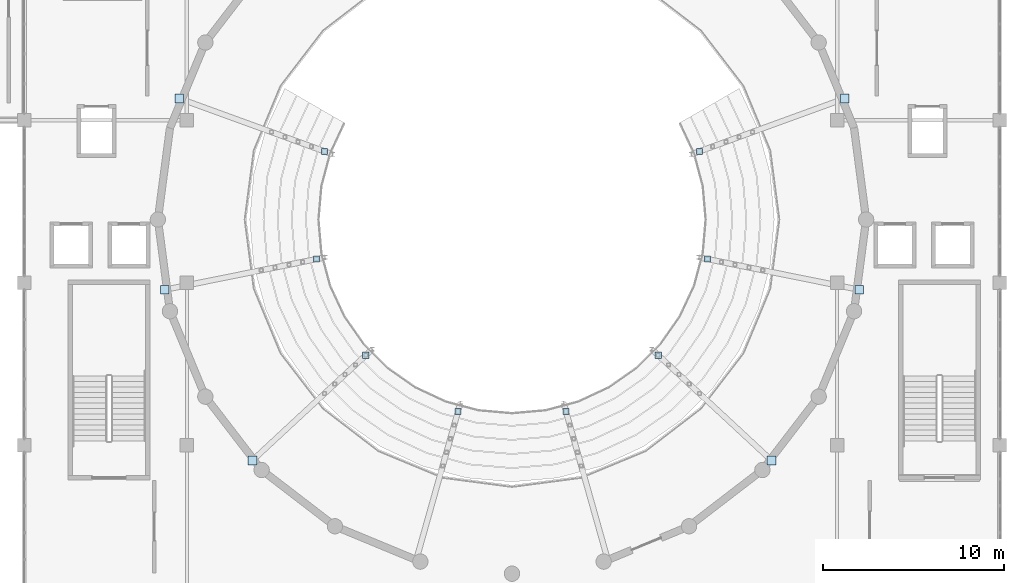
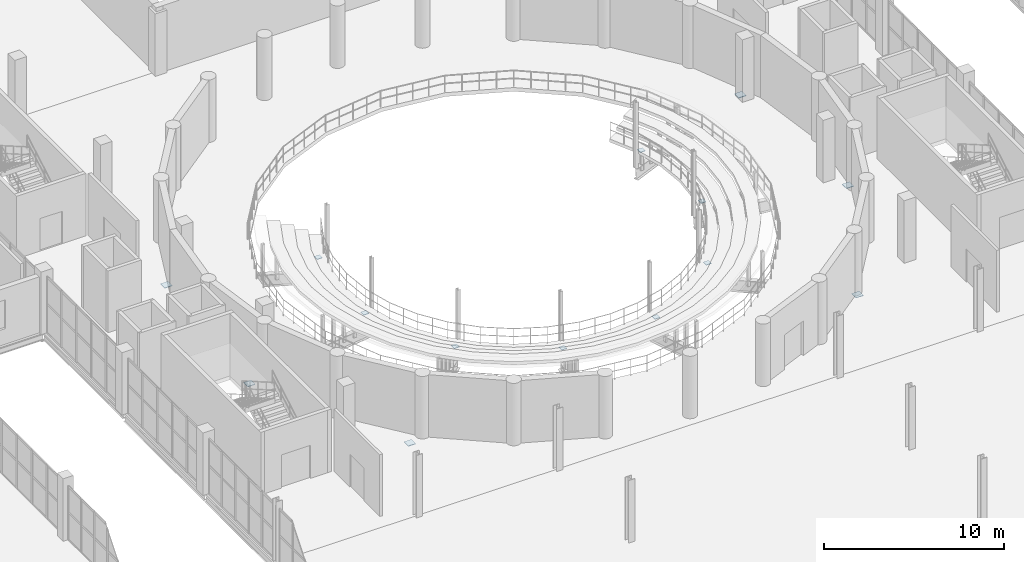
# One storey, part 60 of 85: 14 plates.
"""IFC4 building model written with IfcOpenShell, lengths in metres."""

from ifc_helpers import new_model, si_unit, direction, frame, origin, origin_2d, place, context, subcontext, project, spatial, rectangle, extrude, material, layer, layer_set, type_object, element, save


model = new_model("IFC4")

# Units and contexts
model_context = context("Model", 3, precision=1e-05, world=origin(), true_north=direction((0.0, 1.0)))
body_context = subcontext(model_context, "Body", "Model", "MODEL_VIEW")
ifc_project = project(units=[si_unit("LENGTHUNIT", "METRE"), si_unit("AREAUNIT", "SQUARE_METRE"), si_unit("VOLUMEUNIT", "CUBIC_METRE"), si_unit("PLANEANGLEUNIT", "RADIAN"), si_unit("MASSUNIT", "GRAM", prefix="KILO")], contexts=[model_context])

# Site, building, storey
site_placement = place(None, origin())
site = spatial("IfcSite", under=ifc_project, at=site_placement, CompositionType="ELEMENT")
building_placement = place(site_placement, origin())
building = spatial("IfcBuilding", under=site, at=building_placement, Name="Marnock Terrace Opera House", CompositionType="ELEMENT")
storey_placement = place(building_placement, frame((0.0, 0.0, 10.199951171875)))
storey = spatial("IfcBuildingStorey", under=building, at=storey_placement, Name="L02", CompositionType="ELEMENT", Elevation=10.199951171875)

# Plates
ifc_material = material(Name="Steel Grade 350 (AS/NZS 3679.1)", Category="steel")
ifc_layer_1 = layer(ifc_material, 0.031982421875)
ifc_layer_set_1 = layer_set([ifc_layer_1], Name="Steel Grade 350 (AS/NZS 3679.1)")
plate_type_1 = type_object("IfcPlateType", Name="PLT-SHOE-340x32", PredefinedType="SHEET", material=ifc_layer_set_1)
for number, where, z_axis, x_axis, name in (
    (1, (71.625732421875, 64.27587890625, 0.10302734375), (0.0, 0.0, 1.0), (1.0, 0.0, 0.0), "L02 Auditorium tier support post 1.1 head bearing plate"),
    (2, (71.178955078125, 58.3125, 0.10302734375), (0.0, 0.0, 1.0), (1.0, 0.0, 0.0), "L02 Auditorium tier support post 2.1 head bearing plate"),
    (3, (73.906982421875, 52.990966796875, 0.10302734375), (0.0, 0.0, 1.0), (1.0, 0.0, 0.0), "L02 Auditorium tier support post 3.1 head bearing plate"),
    (4, (79.010009765625, 49.87255859375, 0.10302734375), (0.0, 0.0, 1.0), (1.0, 0.0, 0.0), "L02 Auditorium tier support post 4.1 head bearing plate"),
    (5, (84.989990234375, 49.87255859375, 0.10302734375), (0.0, 0.0, 1.0), (1.0, 0.0, 0.0), "L02 Auditorium tier support post 5.1 head bearing plate"),
    (6, (90.093017578125, 52.990966796875, 0.10302734375), (0.0, 0.0, 1.0), (1.0, 0.0, 0.0), "L02 Auditorium tier support post 6.1 head bearing plate"),
    (7, (92.821044921875, 58.3125, 0.10302734375), (0.0, 0.0, 1.0), (1.0, 0.0, 0.0), "L02 Auditorium tier support post 7.1 head bearing plate"),
    (8, (92.374267578125, 64.27587890625, 0.10302734375), (0.0, 0.0, 1.0), (1.0, 0.0, 0.0), "L02 Auditorium tier support post 8.1 head bearing plate"),
):
    element("IfcPlate", number, at=place(storey_placement, frame(where, z_axis=z_axis, x_axis=x_axis)), inside=storey, type_object=plate_type_1, Name=name, PredefinedType="SHEET", context=body_context, shape_type="SweptSolid", body=[
        extrude(rectangle(XDim=0.340087890625, YDim=0.340087890625, at=origin_2d()), origin(), (0.0, 0.0, 1.0), 0.031982421875),
    ])
ifc_layer_2 = layer(ifc_material, 0.035888671875)
ifc_layer_set_2 = layer_set([ifc_layer_2], Name="Steel Grade 350 (AS/NZS 3679.1)")
plate_type_2 = type_object("IfcPlateType", Name="PLT-SHOE-480x36", PredefinedType="SHEET", material=ifc_layer_set_2)
for number, where, z_axis, x_axis, name in (
    (9, (63.58203125, 67.20361328125, -0.72607421875), (0.0, 0.0, 1.0), (1.0, 0.0, 0.0), "L02 Auditorium raker girder 1 drum shear-wall cast-in embed plate"),
    (10, (62.78857421875, 56.6162109375, -0.72607421875), (0.0, 0.0, 1.0), (1.0, 0.0, 0.0), "L02 Auditorium raker girder 2 drum shear-wall cast-in embed plate"),
    (11, (67.632080078125, 47.168701171875, -0.72607421875), (0.0, 0.0, 1.0), (1.0, 0.0, 0.0), "L02 Auditorium raker girder 3 drum shear-wall cast-in embed plate"),
    (12, (96.367919921875, 47.168701171875, -0.72607421875), (0.0, 0.0, 1.0), (1.0, 0.0, 0.0), "L02 Auditorium raker girder 6 drum shear-wall cast-in embed plate"),
    (13, (101.21142578125, 56.6162109375, -0.72607421875), (0.0, 0.0, 1.0), (1.0, 0.0, 0.0), "L02 Auditorium raker girder 7 drum shear-wall cast-in embed plate"),
    (14, (100.41796875, 67.20361328125, -0.72607421875), (0.0, 0.0, 1.0), (1.0, 0.0, 0.0), "L02 Auditorium raker girder 8 drum shear-wall cast-in embed plate"),
):
    element("IfcPlate", number, at=place(storey_placement, frame(where, z_axis=z_axis, x_axis=x_axis)), inside=storey, type_object=plate_type_2, Name=name, PredefinedType="SHEET", context=body_context, shape_type="SweptSolid", body=[
        extrude(rectangle(XDim=0.47998046875, YDim=0.47998046875, at=origin_2d()), origin(), (0.0, 0.0, 1.0), 0.035888671875),
    ])

save(model, "model.ifc")
